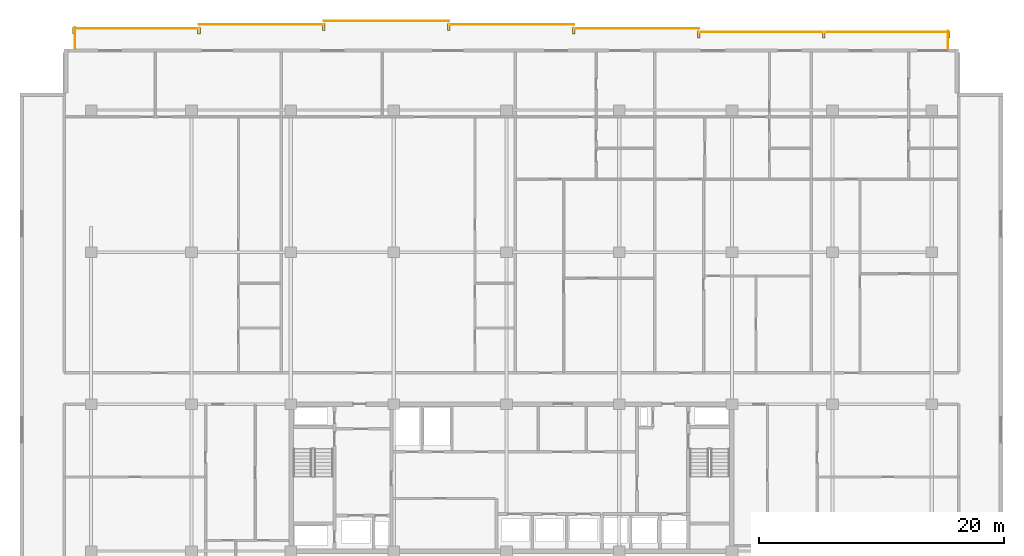
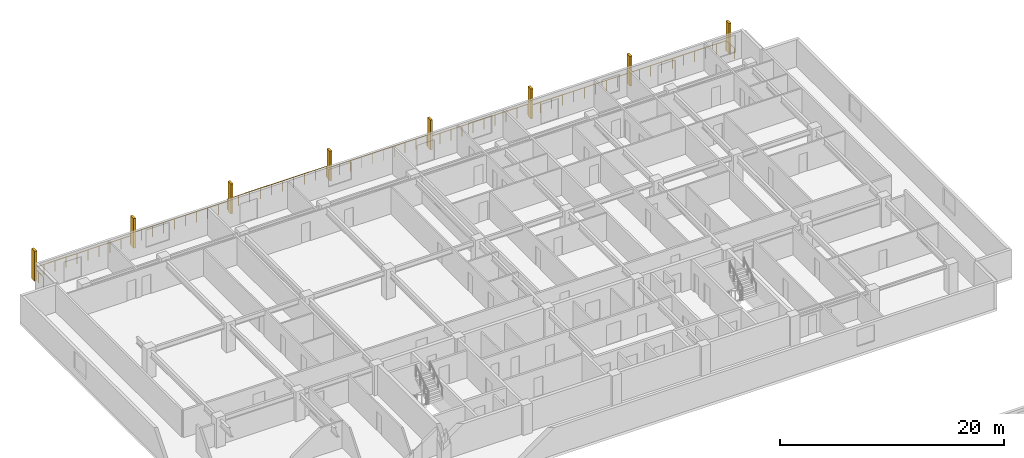
# One storey, part 21 of 21: 8 railings, 8 shading devices.
"""IFC4 building model written with IfcOpenShell, lengths in metres."""

from ifc_helpers import new_model, si_unit, direction, frame, origin, origin_2d, place, context, subcontext, project, spatial, rectangle, circle, extrude, material, type_object, element, save


model = new_model("IFC4")

# Units and contexts
model_context = context("Model", 3, precision=1e-05, world=origin(), true_north=direction((0.0, 1.0)))
body_context = subcontext(model_context, "Body", "Model", "MODEL_VIEW")
ifc_project = project(units=[si_unit("LENGTHUNIT", "METRE"), si_unit("AREAUNIT", "SQUARE_METRE"), si_unit("VOLUMEUNIT", "CUBIC_METRE"), si_unit("PLANEANGLEUNIT", "RADIAN"), si_unit("MASSUNIT", "GRAM", prefix="KILO")], contexts=[model_context])

# Site, building, storey
site_placement = place(None, origin())
site = spatial("IfcSite", under=ifc_project, at=site_placement, CompositionType="ELEMENT")
building_placement = place(site_placement, origin())
building = spatial("IfcBuilding", under=site, at=building_placement, Name="Korimba Cascade Residences", CompositionType="ELEMENT")
storey_placement = place(building_placement, frame((0.0, 0.0, 106.800048828125)))
storey = spatial("IfcBuildingStorey", under=building, at=storey_placement, Name="L30", CompositionType="ELEMENT", Elevation=106.800048828125)

# Railings
ifc_material_1 = material(Name="Laminated Glass and Bronze Balustrade", Category="glass")
railing_type = type_object("IfcRailingType", Name="RLG-LOG-1150", PredefinedType="BALUSTRADE", material=ifc_material_1)
railing_1_placement = place(storey_placement, frame((129.719970703125, 96.199951171875, 0.0)))
element("IfcRailing", 1, at=railing_1_placement, inside=storey, type_object=railing_type, Name="L30 Perimeter Guardrail RLG-L30-T1-LOG-01", PredefinedType="BALUSTRADE", context=body_context, shape_type="SweptSolid", body=[
    extrude(circle(Radius=0.02392578125, at=origin_2d()), frame((0.0, 0.0, 1.1259765625), z_axis=(0.0, 1.0, 0.0), x_axis=(-1.0, 0.0, 0.0)), (0.0, 0.0, 1.0), 1.449951171875),
    extrude(circle(Radius=0.02099609375, at=origin_2d()), origin(), (0.0, 0.0, 1.0), 1.101806640625),
    extrude(circle(Radius=0.02099609375, at=origin_2d()), frame((0.0, 0.72509765625, 0.0)), (0.0, 0.0, 1.0), 1.101806640625),
    extrude(circle(Radius=0.02099609375, at=origin_2d()), frame((0.0, 1.449951171875, 0.0)), (0.0, 0.0, 1.0), 1.101806640625),
])
railing_2_placement = place(storey_placement, frame((129.800048828125, 97.570068359375, 0.0)))
element("IfcRailing", 2, at=railing_2_placement, inside=storey, type_object=railing_type, Name="L30 Perimeter Guardrail RLG-L30-T1-LOG-02", PredefinedType="BALUSTRADE", context=body_context, shape_type="SweptSolid", body=[
    extrude(circle(Radius=0.02392578125, at=origin_2d()), frame((0.0, 0.0, 1.1259765625), z_axis=(-1.0, 0.0, 0.0), x_axis=(0.0, -1.0, 0.0)), (0.0, 0.0, 1.0), 20.400146484375),
    extrude(circle(Radius=0.02099609375, at=origin_2d()), origin(), (0.0, 0.0, 1.0), 1.101806640625),
    extrude(circle(Radius=0.02099609375, at=origin_2d()), frame((-1.13330078125, 0.0, 0.0)), (0.0, 0.0, 1.0), 1.101806640625),
    extrude(circle(Radius=0.02099609375, at=origin_2d()), frame((-2.2666015625, 0.0, 0.0)), (0.0, 0.0, 1.0), 1.101806640625),
    extrude(circle(Radius=0.02099609375, at=origin_2d()), frame((-3.39990234375, 0.0, 0.0)), (0.0, 0.0, 1.0), 1.101806640625),
    extrude(circle(Radius=0.02099609375, at=origin_2d()), frame((-4.533447265625, 0.0, 0.0)), (0.0, 0.0, 1.0), 1.101806640625),
    extrude(circle(Radius=0.02099609375, at=origin_2d()), frame((-5.666748046875, 0.0, 0.0)), (0.0, 0.0, 1.0), 1.101806640625),
    extrude(circle(Radius=0.02099609375, at=origin_2d()), frame((-6.800048828125, 0.0, 0.0)), (0.0, 0.0, 1.0), 1.101806640625),
    extrude(circle(Radius=0.02099609375, at=origin_2d()), frame((-7.933349609375, 0.0, 0.0)), (0.0, 0.0, 1.0), 1.101806640625),
    extrude(circle(Radius=0.02099609375, at=origin_2d()), frame((-9.066650390625, 0.0, 0.0)), (0.0, 0.0, 1.0), 1.101806640625),
    extrude(circle(Radius=0.02099609375, at=origin_2d()), frame((-10.2001953125, 0.0, 0.0)), (0.0, 0.0, 1.0), 1.101806640625),
    extrude(circle(Radius=0.02099609375, at=origin_2d()), frame((-11.33349609375, 0.0, 0.0)), (0.0, 0.0, 1.0), 1.101806640625),
    extrude(circle(Radius=0.02099609375, at=origin_2d()), frame((-12.466796875, 0.0, 0.0)), (0.0, 0.0, 1.0), 1.101806640625),
    extrude(circle(Radius=0.02099609375, at=origin_2d()), frame((-13.60009765625, 0.0, 0.0)), (0.0, 0.0, 1.0), 1.101806640625),
    extrude(circle(Radius=0.02099609375, at=origin_2d()), frame((-14.7333984375, 0.0, 0.0)), (0.0, 0.0, 1.0), 1.101806640625),
    extrude(circle(Radius=0.02099609375, at=origin_2d()), frame((-15.86669921875, 0.0, 0.0)), (0.0, 0.0, 1.0), 1.101806640625),
    extrude(circle(Radius=0.02099609375, at=origin_2d()), frame((-17.0, 0.0, 0.0)), (0.0, 0.0, 1.0), 1.101806640625),
    extrude(circle(Radius=0.02099609375, at=origin_2d()), frame((-18.133544921875, 0.0, 0.0)), (0.0, 0.0, 1.0), 1.101806640625),
    extrude(circle(Radius=0.02099609375, at=origin_2d()), frame((-19.266845703125, 0.0, 0.0)), (0.0, 0.0, 1.0), 1.101806640625),
    extrude(circle(Radius=0.02099609375, at=origin_2d()), frame((-20.400146484375, 0.0, 0.0)), (0.0, 0.0, 1.0), 1.101806640625),
])
for number, where, name in (
    (3, (109.39990234375, 97.8701171875, 0.0), "L30 Perimeter Guardrail RLG-L30-T1-LOG-03"),
    (4, (99.199951171875, 98.169921875, 0.0), "L30 Perimeter Guardrail RLG-L30-T1-LOG-04"),
    (5, (89.0, 98.469970703125, 0.0), "L30 Perimeter Guardrail RLG-L30-T1-LOG-05"),
    (6, (78.800048828125, 98.169921875, 0.0), "L30 Perimeter Guardrail RLG-L30-T1-LOG-06"),
):
    element("IfcRailing", number, at=place(storey_placement, frame(where)), inside=storey, type_object=railing_type, Name=name, PredefinedType="BALUSTRADE", context=body_context, shape_type="SweptSolid", body=[
        extrude(circle(Radius=0.02392578125, at=origin_2d()), frame((0.0, 0.0, 1.1259765625), z_axis=(-1.0, 0.0, 0.0), x_axis=(0.0, -1.0, 0.0)), (0.0, 0.0, 1.0), 10.199951171875),
        extrude(circle(Radius=0.02099609375, at=origin_2d()), origin(), (0.0, 0.0, 1.0), 1.101806640625),
        extrude(circle(Radius=0.02099609375, at=origin_2d()), frame((-1.13330078125, 0.0, 0.0)), (0.0, 0.0, 1.0), 1.101806640625),
        extrude(circle(Radius=0.02099609375, at=origin_2d()), frame((-2.2666015625, 0.0, 0.0)), (0.0, 0.0, 1.0), 1.101806640625),
        extrude(circle(Radius=0.02099609375, at=origin_2d()), frame((-3.39990234375, 0.0, 0.0)), (0.0, 0.0, 1.0), 1.101806640625),
        extrude(circle(Radius=0.02099609375, at=origin_2d()), frame((-4.533203125, 0.0, 0.0)), (0.0, 0.0, 1.0), 1.101806640625),
        extrude(circle(Radius=0.02099609375, at=origin_2d()), frame((-5.666748046875, 0.0, 0.0)), (0.0, 0.0, 1.0), 1.101806640625),
        extrude(circle(Radius=0.02099609375, at=origin_2d()), frame((-6.800048828125, 0.0, 0.0)), (0.0, 0.0, 1.0), 1.101806640625),
        extrude(circle(Radius=0.02099609375, at=origin_2d()), frame((-7.933349609375, 0.0, 0.0)), (0.0, 0.0, 1.0), 1.101806640625),
        extrude(circle(Radius=0.02099609375, at=origin_2d()), frame((-9.066650390625, 0.0, 0.0)), (0.0, 0.0, 1.0), 1.101806640625),
        extrude(circle(Radius=0.02099609375, at=origin_2d()), frame((-10.199951171875, 0.0, 0.0)), (0.0, 0.0, 1.0), 1.101806640625),
    ])
railing_3_placement = place(storey_placement, frame((68.60009765625, 97.8701171875, 0.0)))
element("IfcRailing", 7, at=railing_3_placement, inside=storey, type_object=railing_type, Name="L30 Perimeter Guardrail RLG-L30-T1-LOG-07", PredefinedType="BALUSTRADE", context=body_context, shape_type="SweptSolid", body=[
    extrude(circle(Radius=0.02392578125, at=origin_2d()), frame((0.0, 0.0, 1.1259765625), z_axis=(-1.0, 0.0, 0.0), x_axis=(0.0, -1.0, 0.0)), (0.0, 0.0, 1.0), 10.2001953125),
    extrude(circle(Radius=0.02099609375, at=origin_2d()), origin(), (0.0, 0.0, 1.0), 1.101806640625),
    extrude(circle(Radius=0.02099609375, at=origin_2d()), frame((-1.13330078125, 0.0, 0.0)), (0.0, 0.0, 1.0), 1.101806640625),
    extrude(circle(Radius=0.02099609375, at=origin_2d()), frame((-2.2666015625, 0.0, 0.0)), (0.0, 0.0, 1.0), 1.101806640625),
    extrude(circle(Radius=0.02099609375, at=origin_2d()), frame((-3.400146484375, 0.0, 0.0)), (0.0, 0.0, 1.0), 1.101806640625),
    extrude(circle(Radius=0.02099609375, at=origin_2d()), frame((-4.533447265625, 0.0, 0.0)), (0.0, 0.0, 1.0), 1.101806640625),
    extrude(circle(Radius=0.02099609375, at=origin_2d()), frame((-5.666748046875, 0.0, 0.0)), (0.0, 0.0, 1.0), 1.101806640625),
    extrude(circle(Radius=0.02099609375, at=origin_2d()), frame((-6.800048828125, 0.0, 0.0)), (0.0, 0.0, 1.0), 1.101806640625),
    extrude(circle(Radius=0.02099609375, at=origin_2d()), frame((-7.93359375, 0.0, 0.0)), (0.0, 0.0, 1.0), 1.101806640625),
    extrude(circle(Radius=0.02099609375, at=origin_2d()), frame((-9.06689453125, 0.0, 0.0)), (0.0, 0.0, 1.0), 1.101806640625),
    extrude(circle(Radius=0.02099609375, at=origin_2d()), frame((-10.2001953125, 0.0, 0.0)), (0.0, 0.0, 1.0), 1.101806640625),
])
railing_4_placement = place(storey_placement, frame((58.47998046875, 97.949951171875, 0.0)))
element("IfcRailing", 8, at=railing_4_placement, inside=storey, type_object=railing_type, Name="L30 Perimeter Guardrail RLG-L30-T1-LOG-08", PredefinedType="BALUSTRADE", context=body_context, shape_type="SweptSolid", body=[
    extrude(circle(Radius=0.02392578125, at=origin_2d()), frame((0.0, 0.0, 1.1259765625), z_axis=(0.0, -1.0, 0.0), x_axis=(1.0, 0.0, 0.0)), (0.0, 0.0, 1.0), 1.75),
    extrude(circle(Radius=0.02099609375, at=origin_2d()), origin(), (0.0, 0.0, 1.0), 1.101806640625),
    extrude(circle(Radius=0.02099609375, at=origin_2d()), frame((0.0, -0.875, 0.0)), (0.0, 0.0, 1.0), 1.101806640625),
    extrude(circle(Radius=0.02099609375, at=origin_2d()), frame((0.0, -1.75, 0.0)), (0.0, 0.0, 1.0), 1.101806640625),
])

# Shading devices
ifc_material_2 = material(Name="Honed Sandstone Precast Fin", Category="masonry")
shading_device_type = type_object("IfcShadingDeviceType", Name="SHD-FIN-550", PredefinedType="USERDEFINED", material=ifc_material_2)
for number, where, z_axis, x_axis, name in (
    (9, (58.39990234375, 97.675048828125, 0.0), (0.0, 0.0, 1.0), (1.0, 0.0, 0.0), "L30 T1 Warm-Stone Loggia Fin 1"),
    (10, (68.60009765625, 97.675048828125, 0.0), (0.0, 0.0, 1.0), (1.0, 0.0, 0.0), "L30 T1 Warm-Stone Loggia Fin 2"),
    (11, (78.800048828125, 97.97509765625, 0.0), (0.0, 0.0, 1.0), (1.0, 0.0, 0.0), "L30 T1 Warm-Stone Loggia Fin 3"),
    (12, (89.0, 97.97509765625, 0.0), (0.0, 0.0, 1.0), (1.0, 0.0, 0.0), "L30 T1 Warm-Stone Loggia Fin 4"),
    (13, (99.199951171875, 97.675048828125, 0.0), (0.0, 0.0, 1.0), (1.0, 0.0, 0.0), "L30 T1 Warm-Stone Loggia Fin 5"),
    (14, (109.39990234375, 97.375, 0.0), (0.0, 0.0, 1.0), (1.0, 0.0, 0.0), "L30 T1 Warm-Stone Loggia Fin 6"),
    (15, (119.60009765625, 97.375, 0.0), (0.0, 0.0, 1.0), (1.0, 0.0, 0.0), "L30 T1 Warm-Stone Loggia Fin 7"),
    (16, (129.800048828125, 97.375, 0.0), (0.0, 0.0, 1.0), (1.0, 0.0, 0.0), "L30 T1 Warm-Stone Loggia Fin 8"),
):
    element("IfcShadingDevice", number, at=place(storey_placement, frame(where, z_axis=z_axis, x_axis=x_axis)), inside=storey, type_object=shading_device_type, Name=name, ObjectType="FIN", PredefinedType="USERDEFINED", context=body_context, shape_type="SweptSolid", body=[
        extrude(rectangle(XDim=0.219970703125, YDim=0.550048828125, at=origin_2d()), origin(), (0.0, 0.0, 1.0), 3.25),
    ])

save(model, "model.ifc")
